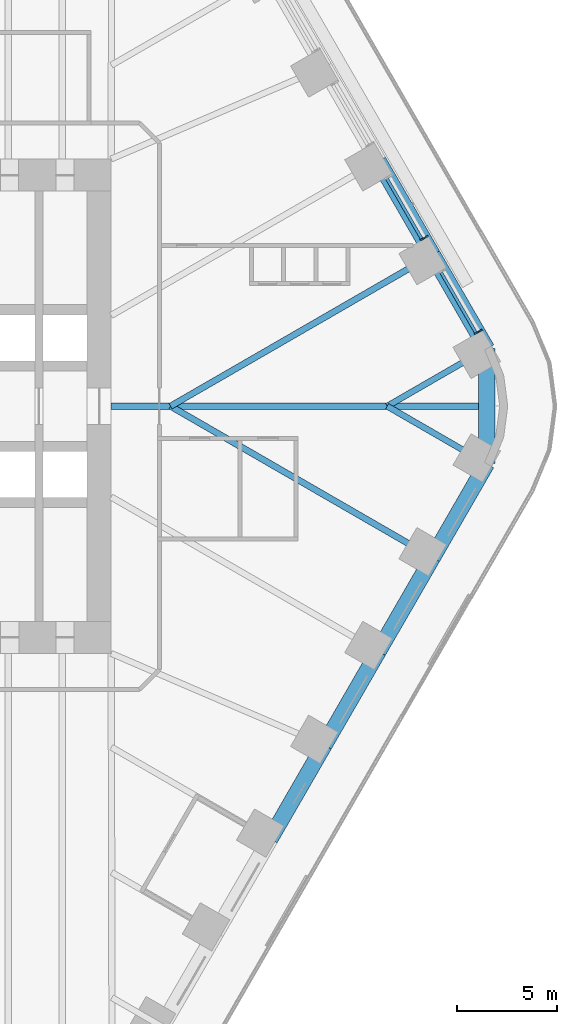
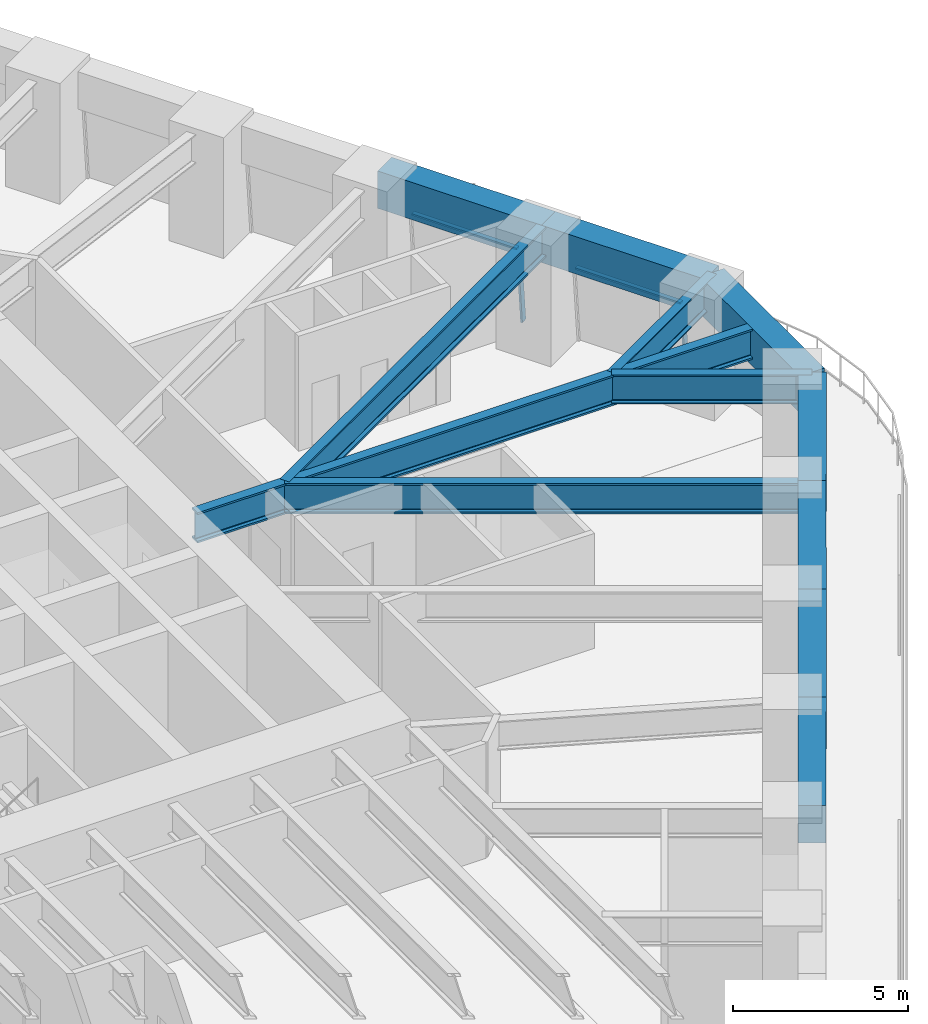
# One storey, part 12 of 24: 12 beams, 4 members, 2 elements without a shape of their own.
"""IFC4 building model written with IfcOpenShell, lengths in metres."""

from ifc_helpers import new_model, si_unit, direction, frame, origin, origin_2d, place, context, subcontext, project, spatial, rectangle, i_section, extrude, material, material_profile, profile_set, type_object, element, aggregate, save


model = new_model("IFC4")

# Units and contexts
model_context = context("Model", 3, precision=1e-05, world=origin(), true_north=direction((0.0, 1.0)))
body_context = subcontext(model_context, "Body", "Model", "MODEL_VIEW")
ifc_project = project(units=[si_unit("LENGTHUNIT", "METRE"), si_unit("AREAUNIT", "SQUARE_METRE"), si_unit("VOLUMEUNIT", "CUBIC_METRE"), si_unit("PLANEANGLEUNIT", "RADIAN"), si_unit("MASSUNIT", "GRAM", prefix="KILO")], contexts=[model_context])

# Site, building, storey
site_placement = place(None, origin())
site = spatial("IfcSite", under=ifc_project, at=site_placement, CompositionType="ELEMENT")
building_placement = place(site_placement, origin())
building = spatial("IfcBuilding", under=site, at=building_placement, Name="Tarfa Lantern Tower", CompositionType="ELEMENT")
storey_placement = place(building_placement, frame((0.0, 0.0, 90.699951171875)))
storey = spatial("IfcBuildingStorey", under=building, at=storey_placement, Name="L20", CompositionType="ELEMENT", Elevation=90.699951171875)

# Curtain wall, member
ifc_material_1 = material(Name="Aluminium framed curtain wall", Category="aluminium")
curtain_wall_type = type_object("IfcCurtainWallType", Name="CW1 CANTED GLAZING LOW ZONE 2700", PredefinedType="USERDEFINED", material=ifc_material_1)
curtain_wall_1_placement = place(storey_placement, origin())
curtain_wall_1 = element("IfcCurtainWall", 1, at=curtain_wall_1_placement, inside=storey, type_object=curtain_wall_type, Name="CW1 NE L20", ObjectType="CURTAIN WALL", PredefinedType="USERDEFINED")
ifc_material_2 = material(Name="Aluminium mullion", Category="aluminium")
ifc_material_profile_1 = material_profile(ifc_material_2, rectangle(XDim=0.06494140625, YDim=0.199951171875, at=origin_2d()), Name="AL MULLION 65x200")
ifc_profile_set_1 = profile_set([ifc_material_profile_1], Name="Aluminium mullion")
member_type_1 = type_object("IfcMemberType", Name="CWM1 MULLION 65x200", PredefinedType="MULLION", material=ifc_profile_set_1)
member_1_placement = place(storey_placement, frame((36.974853515625, 3.757568359375, 0.0), z_axis=(-0.07986442134, -0.046099868913, 0.99573916077), x_axis=(0.499919672301, -0.866071776036, 0.0)))
member_1 = element("IfcMember", 2, at=member_1_placement, type_object=member_type_1, Name="CW1 mullion 1", PredefinedType="MULLION", context=body_context, shape_type="SweptSolid", body=[
    extrude(rectangle(XDim=0.06494140625, YDim=0.199951171875, at=origin_2d()), origin(), (0.0, 0.0, 1.0), 2.71142578125),
])

curtain_wall_2_placement = place(storey_placement, origin())
curtain_wall_2 = element("IfcCurtainWall", 3, at=curtain_wall_2_placement, inside=storey, type_object=curtain_wall_type, Name="CW1 NE L20", ObjectType="CURTAIN WALL", PredefinedType="USERDEFINED")
member_2_placement = place(storey_placement, frame((34.280517578125, 8.42431640625, 0.0), z_axis=(-0.079774955866, -0.04610020023, 0.995746317068), x_axis=(0.500342721131, -0.865827443207, 0.0)))
member_2 = element("IfcMember", 4, at=member_2_placement, type_object=member_type_1, Name="CW1 mullion 1", PredefinedType="MULLION", context=body_context, shape_type="SweptSolid", body=[
    extrude(rectangle(XDim=0.06494140625, YDim=0.199951171875, at=origin_2d()), origin(), (0.0, 0.0, 1.0), 2.71142578125),
])

# Member
ifc_material_3 = material(Name="Aluminium transom", Category="aluminium")
ifc_material_profile_2 = material_profile(ifc_material_3, rectangle(XDim=0.14990234375, YDim=0.06494140625, at=origin_2d()), Name="AL TRANSOM 150x65")
ifc_profile_set_2 = profile_set([ifc_material_profile_2], Name="Aluminium transom")
member_type_2 = type_object("IfcMemberType", Name="CWT1 TRANSOM 150x65", PredefinedType="USERDEFINED", material=ifc_profile_set_2)
member_3_placement = place(storey_placement, frame((36.744873046875, 3.662109375, 2.66748046875), z_axis=(-0.500025915891, 0.866010440721, 0.0), x_axis=(-0.866010440721, -0.500025915891, 0.0)))
member_3 = element("IfcMember", 5, at=member_3_placement, type_object=member_type_2, Name="CW1 transom 1.2", ObjectType="TRANSOM", PredefinedType="USERDEFINED", context=body_context, shape_type="SweptSolid", body=[
    extrude(rectangle(XDim=0.14990234375, YDim=0.06494140625, at=origin_2d()), origin(), (0.0, 0.0, 1.0), 3.458740234375),
])

aggregate(curtain_wall_1, [member_1, member_3])

member_4_placement = place(storey_placement, frame((34.050537109375, 8.328857421875, 2.66748046875), z_axis=(-0.500025915891, 0.866010440721, 0.0), x_axis=(-0.866010440721, -0.500025915891, 0.0)))
member_4 = element("IfcMember", 6, at=member_4_placement, type_object=member_type_2, Name="CW1 transom 1.2", ObjectType="TRANSOM", PredefinedType="USERDEFINED", context=body_context, shape_type="SweptSolid", body=[
    extrude(rectangle(XDim=0.14990234375, YDim=0.06494140625, at=origin_2d()), origin(), (0.0, 0.0, 1.0), 3.458740234375),
])

aggregate(curtain_wall_2, [member_2, member_4])

# Beams
ifc_material_4 = material(Name="Concrete C80/95", Category="concrete")
ifc_material_profile_3 = material_profile(ifc_material_4, rectangle(XDim=0.800048828125, YDim=1.300048828125, at=origin_2d()), Name="RC 800x1300")
ifc_profile_set_3 = profile_set([ifc_material_profile_3], Name="Concrete C80/95")
beam_type_1 = type_object("IfcBeamType", Name="EB1 RC 800x1300", PredefinedType="SPANDREL", material=ifc_profile_set_3)
beam_1_placement = place(storey_placement, frame((37.285400390625, 2.860107421875, 3.35009765625), z_axis=(-0.500017906299, 0.866015065331, 0.0), x_axis=(-0.866015065331, -0.500017906299, 0.0)))
element("IfcBeam", 7, at=beam_1_placement, inside=storey, type_object=beam_type_1, Name="Edge beam NE0", PredefinedType="SPANDREL", context=body_context, shape_type="SweptSolid", body=[
    extrude(rectangle(XDim=0.800048828125, YDim=1.300048828125, at=origin_2d()), origin(), (0.0, 0.0, 1.0), 5.388427734375),
])
beam_2_placement = place(storey_placement, frame((34.591064453125, 7.526611328125, 3.35009765625), z_axis=(-0.499998287579, 0.866026392449, 0.0), x_axis=(-0.866026392449, -0.499998287579, 0.0)))
element("IfcBeam", 8, at=beam_2_placement, inside=storey, type_object=beam_type_1, Name="Edge beam NE1", PredefinedType="SPANDREL", context=body_context, shape_type="SweptSolid", body=[
    extrude(rectangle(XDim=0.800048828125, YDim=1.300048828125, at=origin_2d()), origin(), (0.0, 0.0, 1.0), 5.388671875),
])
beam_3_placement = place(storey_placement, frame((26.508056640625, -21.526611328125, 3.35009765625), z_axis=(0.500017906299, 0.866015065331, 0.0), x_axis=(-0.866015065331, 0.500017906299, 0.0)))
element("IfcBeam", 9, at=beam_3_placement, inside=storey, type_object=beam_type_1, Name="Edge beam SE2", PredefinedType="SPANDREL", context=body_context, shape_type="SweptSolid", body=[
    extrude(rectangle(XDim=0.800048828125, YDim=1.300048828125, at=origin_2d()), origin(), (0.0, 0.0, 1.0), 5.388427734375),
])
for number, where, z_axis, x_axis, name in (
    (10, (29.202392578125, -16.860107421875, 3.35009765625), (0.499998287579, 0.866026392449, 0.0), (-0.866026392449, 0.499998287579, 0.0), "Edge beam SE3"),
    (11, (31.896728515625, -12.193359375, 3.35009765625), (0.499998287579, 0.866026392449, 0.0), (-0.866026392449, 0.499998287579, 0.0), "Edge beam SE4"),
):
    element("IfcBeam", number, at=place(storey_placement, frame(where, z_axis=z_axis, x_axis=x_axis)), inside=storey, type_object=beam_type_1, Name=name, PredefinedType="SPANDREL", context=body_context, shape_type="SweptSolid", body=[
        extrude(rectangle(XDim=0.800048828125, YDim=1.300048828125, at=origin_2d()), origin(), (0.0, 0.0, 1.0), 5.388671875),
    ])
beam_4_placement = place(storey_placement, frame((34.591064453125, -7.526611328125, 3.35009765625), z_axis=(0.500017906299, 0.866015065331, 0.0), x_axis=(-0.866015065331, 0.500017906299, 0.0)))
element("IfcBeam", 12, at=beam_4_placement, inside=storey, type_object=beam_type_1, Name="Edge beam SE5", PredefinedType="SPANDREL", context=body_context, shape_type="SweptSolid", body=[
    extrude(rectangle(XDim=0.800048828125, YDim=1.300048828125, at=origin_2d()), origin(), (0.0, 0.0, 1.0), 5.388427734375),
])
beam_5_placement = place(storey_placement, frame((37.285400390625, -2.860107421875, 3.35009765625), z_axis=(0.0, 1.0, 0.0), x_axis=(-1.0, 0.0, 0.0)))
element("IfcBeam", 13, at=beam_5_placement, inside=storey, type_object=beam_type_1, Name="Edge beam SE6", PredefinedType="SPANDREL", context=body_context, shape_type="SweptSolid", body=[
    extrude(rectangle(XDim=0.800048828125, YDim=1.300048828125, at=origin_2d()), origin(), (0.0, 0.0, 1.0), 5.72021484375),
])
ifc_material_5 = material(Name="Steel S460M", Category="steel")
ifc_material_profile_4 = material_profile(ifc_material_5, i_section(OverallWidth=0.302001953125, OverallDepth=1.008056640625, WebThickness=0.02099609375, FlangeThickness=0.0400390625, FilletRadius=0.030029296875, at=origin_2d()), Name="UB1016x305x349")
ifc_profile_set_4 = profile_set([ifc_material_profile_4], Name="Steel S460M")
beam_type_2 = type_object("IfcBeamType", Name="UB1016x305x349", PredefinedType="BEAM", material=ifc_profile_set_4)
for number, where, z_axis, x_axis, name in (
    (14, (37.285400390625, 2.860107421875, 3.49609375), (-0.866025668288, -0.499999541866, 0.0), (0.499999541866, -0.866025668288, 0.0), "Floor beam NE0"),
    (15, (37.285400390625, -2.860107421875, 3.49609375), (-0.866025668288, 0.499999541866, 0.0), (-0.499999541866, -0.866025668288, 0.0), "Floor beam SE6"),
):
    element("IfcBeam", number, at=place(storey_placement, frame(where, z_axis=z_axis, x_axis=x_axis)), inside=storey, type_object=beam_type_2, Name=name, PredefinedType="BEAM", context=body_context, shape_type="SweptSolid", body=[
        extrude(i_section(OverallWidth=0.302001953125, OverallDepth=1.008056640625, WebThickness=0.02099609375, FlangeThickness=0.0400390625, FilletRadius=0.030029296875, at=origin_2d()), origin(), (0.0, 0.0, 1.0), 5.72021484375),
    ])
ifc_material_profile_5 = material_profile(ifc_material_5, i_section(OverallWidth=0.314208984375, OverallDepth=1.055908203125, WebThickness=0.035888671875, FlangeThickness=0.06396484375, FilletRadius=0.030029296875, at=origin_2d()), Name="UB1016x305x584")
ifc_profile_set_5 = profile_set([ifc_material_profile_5], Name="Steel S460M")
beam_type_3 = type_object("IfcBeamType", Name="UB1016x305x584", PredefinedType="BEAM", material=ifc_profile_set_5)
beam_6_placement = place(storey_placement, frame((18.60009765625, 0.0, 3.47216796875), z_axis=(1.0, 0.0, 0.0), x_axis=(0.0, 1.0, 0.0)))
element("IfcBeam", 16, at=beam_6_placement, inside=storey, type_object=beam_type_3, Name="Hip girder E", PredefinedType="BEAM", context=body_context, shape_type="SweptSolid", body=[
    extrude(i_section(OverallWidth=0.314208984375, OverallDepth=1.055908203125, WebThickness=0.035888671875, FlangeThickness=0.06396484375, FilletRadius=0.030029296875, at=origin_2d()), origin(), (0.0, 0.0, 1.0), 18.685302734375),
])
for number, where, z_axis, x_axis, name in (
    (17, (34.591064453125, 7.526611328125, 3.47216796875), (-0.86602785945, -0.499995746638, 0.0), (0.499995746638, -0.86602785945, 0.0), "Floor beam NE1"),
    (18, (34.591064453125, -7.526611328125, 3.47216796875), (-0.86602785945, 0.499995746638, 0.0), (-0.499995746638, -0.86602785945, 0.0), "Floor beam SE5"),
):
    element("IfcBeam", number, at=place(storey_placement, frame(where, z_axis=z_axis, x_axis=x_axis)), inside=storey, type_object=beam_type_3, Name=name, PredefinedType="BEAM", context=body_context, shape_type="SweptSolid", body=[
        extrude(i_section(OverallWidth=0.314208984375, OverallDepth=1.055908203125, WebThickness=0.035888671875, FlangeThickness=0.06396484375, FilletRadius=0.030029296875, at=origin_2d()), origin(), (0.0, 0.0, 1.0), 15.053466796875),
    ])

save(model, "model.ifc")
